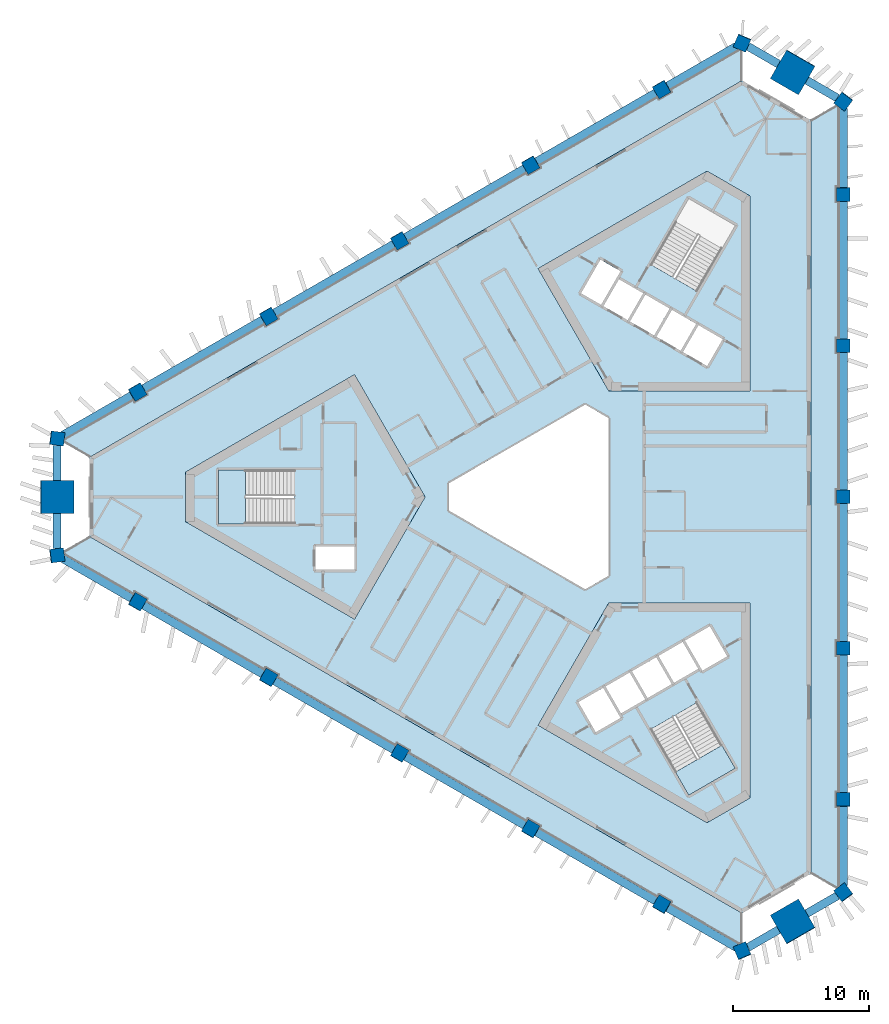
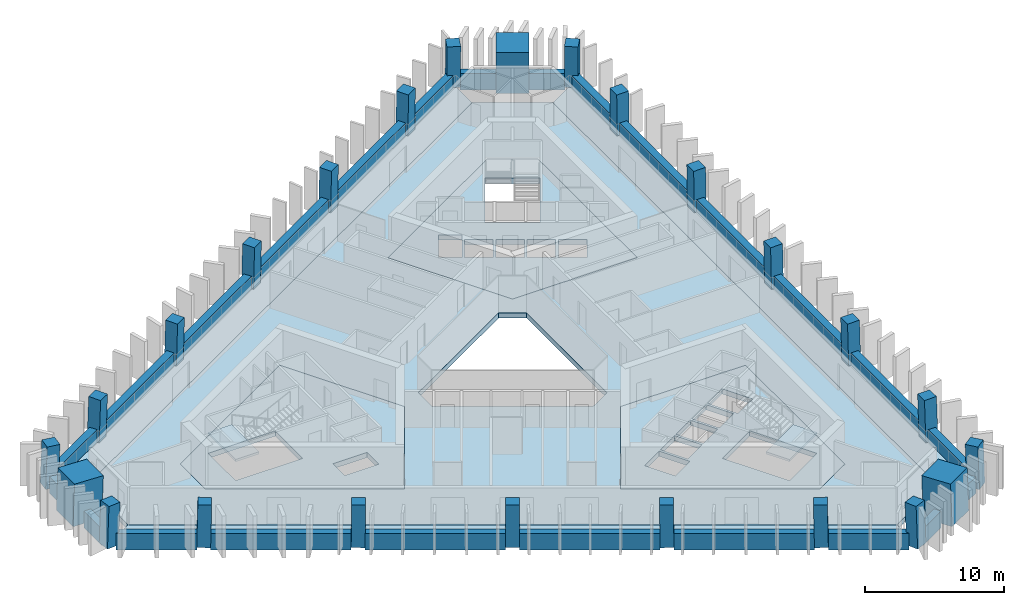
# One storey, part 1 of 11: 24 beams, 24 columns, 9 slabs, 2 elements without a shape of their own.
"""IFC4 building model written with IfcOpenShell, lengths in metres."""

from ifc_helpers import new_model, si_unit, direction, frame, origin, origin_2d, place, context, subcontext, project, spatial, polyline, rectangle, outline, extrude, material, layer, layer_set, material_profile, profile_set, type_object, element, aggregate, save


model = new_model("IFC4")

# Units and contexts
model_context = context("Model", 3, precision=1e-05, world=origin(), true_north=direction((0.0, 1.0)))
body_context = subcontext(model_context, "Body", "Model", "MODEL_VIEW")
ifc_project = project(units=[si_unit("LENGTHUNIT", "METRE"), si_unit("AREAUNIT", "SQUARE_METRE"), si_unit("VOLUMEUNIT", "CUBIC_METRE"), si_unit("PLANEANGLEUNIT", "RADIAN"), si_unit("MASSUNIT", "GRAM", prefix="KILO")], contexts=[model_context])

# Site, building, storey
site_placement = place(None, origin())
site = spatial("IfcSite", under=ifc_project, at=site_placement, CompositionType="ELEMENT")
building_placement = place(site_placement, origin())
building = spatial("IfcBuilding", under=site, at=building_placement, Name="Jabali Bay Hotel Tower and Convention Centre", CompositionType="ELEMENT")
storey_placement = place(building_placement, frame((0.0, 0.0, 143.800048828125)))
storey = spatial("IfcBuildingStorey", under=building, at=storey_placement, Name="L35", CompositionType="ELEMENT", Elevation=143.800048828125)

# Columns
ifc_material_1 = material(Name="Concrete C60", Category="concrete")
ifc_material_profile_1 = material_profile(ifc_material_1, rectangle(XDim=1.0, YDim=1.0, at=origin_2d()), Name="Frame column 1000")
ifc_profile_set_1 = profile_set([ifc_material_profile_1], Name="Concrete C60")
column_type_1 = type_object("IfcColumnType", Name="Frame column 1000", PredefinedType="COLUMN", material=ifc_profile_set_1)
column_1_placement = place(storey_placement, frame((83.395263671875, 109.964599609375, 0.0), z_axis=(-0.00837646992, -0.028097450282, 0.999570091609), x_axis=(0.866167223961, 0.499300431335, 0.02129364706)))
element("IfcColumn", 1, at=column_1_placement, inside=storey, type_object=column_type_1, Name="FC3 F1.1 L35", PredefinedType="COLUMN", context=body_context, shape_type="SweptSolid", body=[
    extrude(rectangle(XDim=1.0, YDim=1.0, at=origin_2d()), origin(), (0.0, 0.0, 1.0), 3.70166015625),
])
column_2_placement = place(storey_placement, frame((73.759521484375, 104.4013671875, 0.0), z_axis=(0.000857578916, -0.022824792675, 0.999739112668), x_axis=(0.866054521909, 0.499835716509, 0.010668719837)))
element("IfcColumn", 2, at=column_2_placement, inside=storey, type_object=column_type_1, Name="FC3 F1.2 L35", PredefinedType="COLUMN", context=body_context, shape_type="SweptSolid", body=[
    extrude(rectangle(XDim=1.0, YDim=1.0, at=origin_2d()), origin(), (0.0, 0.0, 1.0), 3.700927734375),
])
column_3_placement = place(storey_placement, frame((64.123779296875, 98.838134765625, 0.0), z_axis=(0.010093620709, -0.017482414954, 0.999796221231), x_axis=(0.866020200589, 0.50000901209, 8.5616e-08)))
element("IfcColumn", 3, at=column_3_placement, inside=storey, type_object=column_type_1, Name="FC3 F1.3 L35", PredefinedType="COLUMN", context=body_context, shape_type="SweptSolid", body=[
    extrude(rectangle(XDim=1.0, YDim=1.0, at=origin_2d()), origin(), (0.0, 0.0, 1.0), 3.70068359375),
])
column_4_placement = place(storey_placement, frame((54.488037109375, 93.27490234375, 0.0), z_axis=(0.019328516974, -0.012138044789, 0.999739504221), x_axis=(-0.500205614953, 0.865671455024, 0.020181048691)))
element("IfcColumn", 4, at=column_4_placement, inside=storey, type_object=column_type_1, Name="FC3 F1.4 L35", PredefinedType="COLUMN", context=body_context, shape_type="SweptSolid", body=[
    extrude(rectangle(XDim=1.0, YDim=1.0, at=origin_2d()), origin(), (0.0, 0.0, 1.0), 3.700927734375),
])
for number, where, z_axis, x_axis, name in (
    (5, (44.852294921875, 87.7119140625, 0.0), (0.028559101991, -0.006859460986, 0.999568569678), (-0.498515218099, 0.866645785643, 0.020190580742), "FC3 F1.5 L35"),
    (6, (44.852294921875, 72.2880859375, 0.0), (0.028559101991, 0.006859460986, 0.999568569678), (-0.866410384874, 0.498876768373, 0.021331079692), "FC3 F2.1 L35"),
):
    element("IfcColumn", number, at=place(storey_placement, frame(where, z_axis=z_axis, x_axis=x_axis)), inside=storey, type_object=column_type_1, Name=name, PredefinedType="COLUMN", context=body_context, shape_type="SweptSolid", body=[
        extrude(rectangle(XDim=1.0, YDim=1.0, at=origin_2d()), origin(), (0.0, 0.0, 1.0), 3.70166015625),
    ])
column_5_placement = place(storey_placement, frame((54.488037109375, 66.72509765625, 0.0), z_axis=(0.019328516974, 0.012138044789, 0.999739504221), x_axis=(-0.865690909737, 0.500465383244, 0.010660627254)))
element("IfcColumn", 7, at=column_5_placement, inside=storey, type_object=column_type_1, Name="FC3 F2.2 L35", PredefinedType="COLUMN", context=body_context, shape_type="SweptSolid", body=[
    extrude(rectangle(XDim=1.0, YDim=1.0, at=origin_2d()), origin(), (0.0, 0.0, 1.0), 3.700927734375),
])
column_6_placement = place(storey_placement, frame((64.123779296875, 61.161865234375, 0.0), z_axis=(0.010093620709, 0.017482414954, 0.999796221231), x_axis=(-0.499907122366, -0.865843723195, 0.020187025824)))
element("IfcColumn", 8, at=column_6_placement, inside=storey, type_object=column_type_1, Name="FC3 F2.3 L35", PredefinedType="COLUMN", context=body_context, shape_type="SweptSolid", body=[
    extrude(rectangle(XDim=1.0, YDim=1.0, at=origin_2d()), origin(), (0.0, 0.0, 1.0), 3.70068359375),
])
column_7_placement = place(storey_placement, frame((73.759521484375, 55.5986328125, 0.0), z_axis=(0.000857578916, 0.022824792675, 0.999739112668), x_axis=(-0.499948827021, -0.865819429986, 0.020196163479)))
element("IfcColumn", 9, at=column_7_placement, inside=storey, type_object=column_type_1, Name="FC3 F2.4 L35", PredefinedType="COLUMN", context=body_context, shape_type="SweptSolid", body=[
    extrude(rectangle(XDim=1.0, YDim=1.0, at=origin_2d()), origin(), (0.0, 0.0, 1.0), 3.700927734375),
])
for number, where, z_axis, x_axis, name in (
    (10, (83.395263671875, 50.035400390625, 0.0), (-0.00837646992, 0.028097450282, 0.999570091609), (-0.499684075079, -0.865973216997, 0.020154715467), "FC3 F2.5 L35"),
    (11, (96.75244140625, 57.7470703125, 0.0), (-0.020182631348, 0.021369844956, 0.999567902205), (-0.001315292007, -0.999771248084, 0.021347634776), "FC3 F0.1 L35"),
):
    element("IfcColumn", number, at=place(storey_placement, frame(where, z_axis=z_axis, x_axis=x_axis)), inside=storey, type_object=column_type_1, Name=name, PredefinedType="COLUMN", context=body_context, shape_type="SweptSolid", body=[
        extrude(rectangle(XDim=1.0, YDim=1.0, at=origin_2d()), origin(), (0.0, 0.0, 1.0), 3.70166015625),
    ])
column_8_placement = place(storey_placement, frame((96.75244140625, 68.87353515625, 0.0), z_axis=(-0.020186088539, 0.010686752756, 0.999739123544), x_axis=(-0.001023376713, -0.999942568771, 0.010668264128)))
element("IfcColumn", 12, at=column_8_placement, inside=storey, type_object=column_type_1, Name="FC3 F0.2 L35", PredefinedType="COLUMN", context=body_context, shape_type="SweptSolid", body=[
    extrude(rectangle(XDim=1.0, YDim=1.0, at=origin_2d()), origin(), (0.0, 0.0, 1.0), 3.700927734375),
])
column_9_placement = place(storey_placement, frame((96.75244140625, 80.0, 0.0), z_axis=(-0.020187241331, 0.0, 0.99979621688), x_axis=(0.0, -1.0, 0.0)))
element("IfcColumn", 13, at=column_9_placement, inside=storey, type_object=column_type_1, Name="FC3 F0.3 L35", PredefinedType="COLUMN", context=body_context, shape_type="SweptSolid", body=[
    extrude(rectangle(XDim=1.0, YDim=1.0, at=origin_2d()), origin(), (0.0, 0.0, 1.0), 3.70068359375),
])
column_10_placement = place(storey_placement, frame((96.75244140625, 91.12646484375, 0.0), z_axis=(-0.020186088539, -0.010686752756, 0.999739123544), x_axis=(0.999795716399, 0.000807759214, 0.020195865801)))
element("IfcColumn", 14, at=column_10_placement, inside=storey, type_object=column_type_1, Name="FC3 F0.4 L35", PredefinedType="COLUMN", context=body_context, shape_type="SweptSolid", body=[
    extrude(rectangle(XDim=1.0, YDim=1.0, at=origin_2d()), origin(), (0.0, 0.0, 1.0), 3.700927734375),
])
column_11_placement = place(storey_placement, frame((96.75244140625, 102.2529296875, 0.0), z_axis=(-0.020182631348, -0.021369844956, 0.999567902205), x_axis=(0.999795444778, 0.000883872229, 0.020206122118)))
element("IfcColumn", 15, at=column_11_placement, inside=storey, type_object=column_type_1, Name="FC3 F0.5 L35", PredefinedType="COLUMN", context=body_context, shape_type="SweptSolid", body=[
    extrude(rectangle(XDim=1.0, YDim=1.0, at=origin_2d()), origin(), (0.0, 0.0, 1.0), 3.70166015625),
])
for number, where, z_axis, x_axis, name in (
    (16, (96.75244140625, 50.91796875, 0.0), (-0.020178741915, 0.029015184452, 0.999375273581), (-0.800886944779, -0.598814350602, 0.001214576652), "FC3 V0 L35"),
    (17, (96.75244140625, 109.08203125, 0.0), (-0.020178741915, -0.029015184452, 0.999375273581), (0.598475496623, 0.800362100917, 0.035321202664), "FC3 V1 L35"),
    (18, (89.3095703125, 113.379150390625, 0.0), (-0.015035173594, -0.031916772016, 0.999377437818), (0.918753865816, -0.39482890392, 0.001212714742), "FC3 V2 L35"),
    (19, (38.93798828125, 84.297119140625, 0.0), (0.03521388716, -0.002967462401, 0.999375393092), (-0.992371460526, 0.118116619112, 0.035317823014), "FC3 V3 L35"),
    (20, (38.93798828125, 75.702880859375, 0.0), (0.03521388716, 0.002967462401, 0.999375393092), (-0.118147646968, 0.992995296291, 0.0012145203), "FC3 V4 L35"),
    (21, (89.3095703125, 46.620849609375, 0.0), (-0.015035173594, 0.031916772016, 0.999377437818), (0.394544392436, -0.918200117781, 0.035259978785), "FC3 V5 L35"),
):
    element("IfcColumn", number, at=place(storey_placement, frame(where, z_axis=z_axis, x_axis=x_axis)), inside=storey, type_object=column_type_1, Name=name, PredefinedType="COLUMN", context=body_context, shape_type="SweptSolid", body=[
        extrude(rectangle(XDim=1.0, YDim=1.0, at=origin_2d()), origin(), (0.0, 0.0, 1.0), 3.7021484375),
    ])
ifc_material_2 = material(Name="Concrete C70", Category="concrete")
ifc_material_profile_2 = material_profile(ifc_material_2, rectangle(XDim=2.39990234375, YDim=2.39990234375, at=origin_2d()), Name="Mega column 2400")
ifc_profile_set_2 = profile_set([ifc_material_profile_2], Name="Concrete C70")
column_type_2 = type_object("IfcColumnType", Name="Mega column 2400", PredefinedType="COLUMN", material=ifc_profile_set_2)
for number, where, z_axis, x_axis, name in (
    (22, (93.031005859375, 111.230712890625, 0.0), (-0.017607001884, -0.030531992032, 0.999378702468), (0.866279052578, -0.499560409824, 2.461e-09), "MC3 M1 L35"),
    (23, (38.93798828125, 80.0, 0.0), (0.035214042205, 0.0, 0.999379793288), (0.0, 1.0, 0.0), "MC3 M0 L35"),
    (24, (93.031005859375, 48.769287109375, 0.0), (-0.017607001884, 0.030531992032, 0.999378702468), (0.4992500341, -0.865740835585, 0.035244986208), "MC3 M2 L35"),
):
    element("IfcColumn", number, at=place(storey_placement, frame(where, z_axis=z_axis, x_axis=x_axis)), inside=storey, type_object=column_type_2, Name=name, PredefinedType="COLUMN", context=body_context, shape_type="SweptSolid", body=[
        extrude(rectangle(XDim=2.39990234375, YDim=2.39990234375, at=origin_2d()), origin(), (0.0, 0.0, 1.0), 3.7021484375),
    ])

# Beams
ifc_material_profile_3 = material_profile(ifc_material_1, rectangle(XDim=0.60009765625, YDim=1.449951171875, at=origin_2d()), Name="Spandrel 600x1450")
ifc_profile_set_3 = profile_set([ifc_material_profile_3], Name="Concrete C60")
beam_type = type_object("IfcBeamType", Name="Spandrel 600x1450", PredefinedType="SPANDREL", material=ifc_profile_set_3)
beam_1_placement = place(storey_placement, frame((91.985107421875, 111.819091796875, 0.375), z_axis=(-0.866018018137, 0.500012792098, 0.0), x_axis=(-0.500012792098, -0.866018018137, 0.0)))
element("IfcBeam", 25, at=beam_1_placement, inside=storey, type_object=beam_type, Name="Spandrel M1-V2 L35", PredefinedType="SPANDREL", context=body_context, shape_type="SweptSolid", body=[
    extrude(rectangle(XDim=0.60009765625, YDim=1.449951171875, at=origin_2d()), origin(), (0.0, 0.0, 1.0), 2.59619140625),
])
beam_2_placement = place(storey_placement, frame((88.870849609375, 113.1171875, 0.375), z_axis=(-0.866027182222, -0.499996919643, 0.0), x_axis=(0.499996919643, -0.866027182222, 0.0)))
element("IfcBeam", 26, at=beam_2_placement, inside=storey, type_object=beam_type, Name="Spandrel V2-F1.1 L35", PredefinedType="SPANDREL", context=body_context, shape_type="SweptSolid", body=[
    extrude(rectangle(XDim=0.60009765625, YDim=1.449951171875, at=origin_2d()), origin(), (0.0, 0.0, 1.0), 5.826171875),
])
for number, where, z_axis, x_axis, name in (
    (27, (82.959228515625, 109.7041015625, 0.375), (-0.866024527727, -0.500001517373, 0.0), (0.500001517373, -0.866024527727, 0.0), "Spandrel F1.1-F1.2 L35"),
    (28, (73.326904296875, 104.142822265625, 0.375), (-0.866024527727, -0.500001517373, 0.0), (0.500001517373, -0.866024527727, 0.0), "Spandrel F1.2-F1.3 L35"),
):
    element("IfcBeam", number, at=place(storey_placement, frame(where, z_axis=z_axis, x_axis=x_axis)), inside=storey, type_object=beam_type, Name=name, PredefinedType="SPANDREL", context=body_context, shape_type="SweptSolid", body=[
        extrude(rectangle(XDim=0.60009765625, YDim=1.449951171875, at=origin_2d()), origin(), (0.0, 0.0, 1.0), 10.12255859375),
    ])
beam_3_placement = place(storey_placement, frame((63.694580078125, 98.58154296875, 0.375), z_axis=(-0.866034971321, -0.499983428175, 0.0), x_axis=(0.499983428175, -0.866034971321, 0.0)))
element("IfcBeam", 29, at=beam_3_placement, inside=storey, type_object=beam_type, Name="Spandrel F1.3-F1.4 L35", PredefinedType="SPANDREL", context=body_context, shape_type="SweptSolid", body=[
    extrude(rectangle(XDim=0.60009765625, YDim=1.449951171875, at=origin_2d()), origin(), (0.0, 0.0, 1.0), 10.122314453125),
])
beam_4_placement = place(storey_placement, frame((54.062255859375, 93.0205078125, 0.375), z_axis=(-0.866024527727, -0.500001517373, 0.0), x_axis=(0.500001517373, -0.866024527727, 0.0)))
element("IfcBeam", 30, at=beam_4_placement, inside=storey, type_object=beam_type, Name="Spandrel F1.4-F1.5 L35", PredefinedType="SPANDREL", context=body_context, shape_type="SweptSolid", body=[
    extrude(rectangle(XDim=0.60009765625, YDim=1.449951171875, at=origin_2d()), origin(), (0.0, 0.0, 1.0), 10.12255859375),
])
beam_5_placement = place(storey_placement, frame((44.429931640625, 87.459228515625, 0.375), z_axis=(-0.866027182222, -0.499996919643, 0.0), x_axis=(0.499996919643, -0.866027182222, 0.0)))
element("IfcBeam", 31, at=beam_5_placement, inside=storey, type_object=beam_type, Name="Spandrel F1.5-V3 L35", PredefinedType="SPANDREL", context=body_context, shape_type="SweptSolid", body=[
    extrude(rectangle(XDim=0.60009765625, YDim=1.449951171875, at=origin_2d()), origin(), (0.0, 0.0, 1.0), 5.826171875),
])
for number, where, z_axis, x_axis, name in (
    (32, (38.951171875, 83.796142578125, 0.375), (0.0, -1.0, 0.0), (1.0, 0.0, 0.0), "Spandrel V3-M0 L35"),
    (33, (38.951171875, 78.800048828125, 0.375), (0.0, -1.0, 0.0), (1.0, 0.0, 0.0), "Spandrel M0-V4 L35"),
):
    element("IfcBeam", number, at=place(storey_placement, frame(where, z_axis=z_axis, x_axis=x_axis)), inside=storey, type_object=beam_type, Name=name, PredefinedType="SPANDREL", context=body_context, shape_type="SweptSolid", body=[
        extrude(rectangle(XDim=0.60009765625, YDim=1.449951171875, at=origin_2d()), origin(), (0.0, 0.0, 1.0), 2.59619140625),
    ])
beam_6_placement = place(storey_placement, frame((39.38427734375, 75.453857421875, 0.375), z_axis=(0.866027182222, -0.499996919643, 0.0), x_axis=(0.499996919643, 0.866027182222, 0.0)))
element("IfcBeam", 34, at=beam_6_placement, inside=storey, type_object=beam_type, Name="Spandrel V4-F2.1 L35", PredefinedType="SPANDREL", context=body_context, shape_type="SweptSolid", body=[
    extrude(rectangle(XDim=0.60009765625, YDim=1.449951171875, at=origin_2d()), origin(), (0.0, 0.0, 1.0), 5.826171875),
])
beam_7_placement = place(storey_placement, frame((45.2958984375, 72.040771484375, 0.375), z_axis=(0.866024527727, -0.500001517373, 0.0), x_axis=(0.500001517373, 0.866024527727, 0.0)))
element("IfcBeam", 35, at=beam_7_placement, inside=storey, type_object=beam_type, Name="Spandrel F2.1-F2.2 L35", PredefinedType="SPANDREL", context=body_context, shape_type="SweptSolid", body=[
    extrude(rectangle(XDim=0.60009765625, YDim=1.449951171875, at=origin_2d()), origin(), (0.0, 0.0, 1.0), 10.12255859375),
])
beam_8_placement = place(storey_placement, frame((54.92822265625, 66.4794921875, 0.375), z_axis=(0.866034971321, -0.499983428175, 0.0), x_axis=(0.499983428175, 0.866034971321, 0.0)))
element("IfcBeam", 36, at=beam_8_placement, inside=storey, type_object=beam_type, Name="Spandrel F2.2-F2.3 L35", PredefinedType="SPANDREL", context=body_context, shape_type="SweptSolid", body=[
    extrude(rectangle(XDim=0.60009765625, YDim=1.449951171875, at=origin_2d()), origin(), (0.0, 0.0, 1.0), 10.122314453125),
])
for number, where, z_axis, x_axis, name in (
    (37, (64.560546875, 60.91845703125, 0.375), (0.866024527727, -0.500001517373, 0.0), (0.500001517373, 0.866024527727, 0.0), "Spandrel F2.3-F2.4 L35"),
    (38, (74.19287109375, 55.357177734375, 0.375), (0.866024527727, -0.500001517373, 0.0), (0.500001517373, 0.866024527727, 0.0), "Spandrel F2.4-F2.5 L35"),
):
    element("IfcBeam", number, at=place(storey_placement, frame(where, z_axis=z_axis, x_axis=x_axis)), inside=storey, type_object=beam_type, Name=name, PredefinedType="SPANDREL", context=body_context, shape_type="SweptSolid", body=[
        extrude(rectangle(XDim=0.60009765625, YDim=1.449951171875, at=origin_2d()), origin(), (0.0, 0.0, 1.0), 10.12255859375),
    ])
beam_9_placement = place(storey_placement, frame((83.8251953125, 49.7958984375, 0.375), z_axis=(0.866027182222, -0.499996919643, 0.0), x_axis=(0.499996919643, 0.866027182222, 0.0)))
element("IfcBeam", 39, at=beam_9_placement, inside=storey, type_object=beam_type, Name="Spandrel F2.5-V5 L35", PredefinedType="SPANDREL", context=body_context, shape_type="SweptSolid", body=[
    extrude(rectangle(XDim=0.60009765625, YDim=1.449951171875, at=origin_2d()), origin(), (0.0, 0.0, 1.0), 5.826171875),
])
beam_10_placement = place(storey_placement, frame((89.73681640625, 46.8828125, 0.375), z_axis=(0.866018018137, 0.500012792098, 0.0), x_axis=(-0.500012792098, 0.866018018137, 0.0)))
element("IfcBeam", 40, at=beam_10_placement, inside=storey, type_object=beam_type, Name="Spandrel V5-M2 L35", PredefinedType="SPANDREL", context=body_context, shape_type="SweptSolid", body=[
    extrude(rectangle(XDim=0.60009765625, YDim=1.449951171875, at=origin_2d()), origin(), (0.0, 0.0, 1.0), 2.59619140625),
])
beam_11_placement = place(storey_placement, frame((94.063720703125, 49.380859375, 0.375), z_axis=(0.866058738561, 0.499942258029, 0.0), x_axis=(-0.499942258029, 0.866058738561, 0.0)))
element("IfcBeam", 41, at=beam_11_placement, inside=storey, type_object=beam_type, Name="Spandrel M2-V0 L35", PredefinedType="SPANDREL", context=body_context, shape_type="SweptSolid", body=[
    extrude(rectangle(XDim=0.60009765625, YDim=1.449951171875, at=origin_2d()), origin(), (0.0, 0.0, 1.0), 2.595947265625),
])
beam_12_placement = place(storey_placement, frame((96.744873046875, 51.4287109375, 0.375), z_axis=(0.0, 1.0, 0.0), x_axis=(-1.0, 0.0, 0.0)))
element("IfcBeam", 42, at=beam_12_placement, inside=storey, type_object=beam_type, Name="Spandrel V0-F0.1 L35", PredefinedType="SPANDREL", context=body_context, shape_type="SweptSolid", body=[
    extrude(rectangle(XDim=0.60009765625, YDim=1.449951171875, at=origin_2d()), origin(), (0.0, 0.0, 1.0), 5.826416015625),
])
beam_13_placement = place(storey_placement, frame((96.744873046875, 58.255126953125, 0.375), z_axis=(0.0, 1.0, 0.0), x_axis=(-1.0, 0.0, 0.0)))
element("IfcBeam", 43, at=beam_13_placement, inside=storey, type_object=beam_type, Name="Spandrel F0.1-F0.2 L35", PredefinedType="SPANDREL", context=body_context, shape_type="SweptSolid", body=[
    extrude(rectangle(XDim=0.60009765625, YDim=1.449951171875, at=origin_2d()), origin(), (0.0, 0.0, 1.0), 10.12255859375),
])
for number, where, z_axis, x_axis, name in (
    (44, (96.744873046875, 69.377685546875, 0.375), (0.0, 1.0, 0.0), (-1.0, 0.0, 0.0), "Spandrel F0.2-F0.3 L35"),
    (45, (96.744873046875, 80.5, 0.375), (0.0, 1.0, 0.0), (-1.0, 0.0, 0.0), "Spandrel F0.3-F0.4 L35"),
):
    element("IfcBeam", number, at=place(storey_placement, frame(where, z_axis=z_axis, x_axis=x_axis)), inside=storey, type_object=beam_type, Name=name, PredefinedType="SPANDREL", context=body_context, shape_type="SweptSolid", body=[
        extrude(rectangle(XDim=0.60009765625, YDim=1.449951171875, at=origin_2d()), origin(), (0.0, 0.0, 1.0), 10.122314453125),
    ])
beam_14_placement = place(storey_placement, frame((96.744873046875, 91.622314453125, 0.375), z_axis=(0.0, 1.0, 0.0), x_axis=(-1.0, 0.0, 0.0)))
element("IfcBeam", 46, at=beam_14_placement, inside=storey, type_object=beam_type, Name="Spandrel F0.4-F0.5 L35", PredefinedType="SPANDREL", context=body_context, shape_type="SweptSolid", body=[
    extrude(rectangle(XDim=0.60009765625, YDim=1.449951171875, at=origin_2d()), origin(), (0.0, 0.0, 1.0), 10.12255859375),
])
beam_15_placement = place(storey_placement, frame((96.744873046875, 102.744873046875, 0.375), z_axis=(0.0, 1.0, 0.0), x_axis=(-1.0, 0.0, 0.0)))
element("IfcBeam", 47, at=beam_15_placement, inside=storey, type_object=beam_type, Name="Spandrel F0.5-V1 L35", PredefinedType="SPANDREL", context=body_context, shape_type="SweptSolid", body=[
    extrude(rectangle(XDim=0.60009765625, YDim=1.449951171875, at=origin_2d()), origin(), (0.0, 0.0, 1.0), 5.826416015625),
])
beam_16_placement = place(storey_placement, frame((96.31201171875, 109.3212890625, 0.375), z_axis=(-0.866058738561, 0.499942258029, 0.0), x_axis=(-0.499942258029, -0.866058738561, 0.0)))
element("IfcBeam", 48, at=beam_16_placement, inside=storey, type_object=beam_type, Name="Spandrel V1-M1 L35", PredefinedType="SPANDREL", context=body_context, shape_type="SweptSolid", body=[
    extrude(rectangle(XDim=0.60009765625, YDim=1.449951171875, at=origin_2d()), origin(), (0.0, 0.0, 1.0), 2.595947265625),
])

# Slabs
ifc_material_3 = material(Name="Concrete C40", Category="concrete")
ifc_layer_1 = layer(ifc_material_3, 0.449951171875)
ifc_layer_set_1 = layer_set([ifc_layer_1], Name="Concrete C40")
slab_type_1 = type_object("IfcSlabType", Name="Core floor slab 450", PredefinedType="FLOOR", material=ifc_layer_set_1)
slab_1_placement = place(storey_placement, frame((0.0, 0.0, -0.449951171875)))
element("IfcSlab", 49, at=slab_1_placement, inside=storey, type_object=slab_type_1, Name="Core floor slab 1 L35", PredefinedType="FLOOR", context=body_context, shape_type="SweptSolid", body=[
    extrude(outline(polyline([(66.0, 80.0), (60.81005859375, 88.9892578125), (48.39697265625, 81.82275390625), (48.39697265625, 78.17724609375), (60.81005859375, 71.0107421875), (66.0, 80.0)]), holes=[polyline([(60.800048828125, 76.35009765625), (57.949951171875, 76.35009765625), (57.949951171875, 74.64990234375), (60.800048828125, 74.64990234375), (60.800048828125, 76.35009765625)]), polyline([(50.820068359375, 81.97509765625), (50.820068359375, 78.02490234375), (56.409912109375, 78.02490234375), (56.409912109375, 81.97509765625), (50.820068359375, 81.97509765625)])]), origin(), (0.0, 0.0, 1.0), 0.449951171875),
])
slab_2_placement = place(storey_placement, frame((0.0, 0.0, -0.449951171875)))
element("IfcSlab", 50, at=slab_2_placement, inside=storey, type_object=slab_type_1, Name="Core floor slab 2 L35", PredefinedType="FLOOR", context=body_context, shape_type="SweptSolid", body=[
    extrude(outline(polyline([(79.5, 87.794189453125), (89.8798828125, 87.794189453125), (89.8798828125, 102.127685546875), (86.72314453125, 103.9501953125), (74.31005859375, 96.78369140625), (79.5, 87.794189453125)]), holes=[polyline([(84.957763671875, 90.6474609375), (86.733154296875, 89.62255859375), (87.873291015625, 91.59716796875), (86.097900390625, 92.6220703125), (84.957763671875, 90.6474609375)]), polyline([(84.1494140625, 93.7470703125), (83.00927734375, 91.7724609375), (84.78466796875, 90.74755859375), (85.924560546875, 92.72216796875), (84.1494140625, 93.7470703125)]), polyline([(82.20068359375, 94.8720703125), (81.060791015625, 92.8974609375), (82.836181640625, 91.87255859375), (83.97607421875, 93.84716796875), (82.20068359375, 94.8720703125)]), polyline([(79.1123046875, 94.0224609375), (80.887451171875, 92.99755859375), (82.027587890625, 94.97216796875), (80.252197265625, 95.9970703125), (79.1123046875, 94.0224609375)]), polyline([(78.891845703125, 97.440673828125), (77.466796875, 94.97265625), (78.93896484375, 94.12255859375), (80.364013671875, 96.5908203125), (78.891845703125, 97.440673828125)]), polyline([(82.584716796875, 97.0869140625), (86.00537109375, 95.11181640625), (88.80029296875, 99.952880859375), (85.379638671875, 101.927978515625), (82.584716796875, 97.0869140625)])]), origin(), (0.0, 0.0, 1.0), 0.449951171875),
])
slab_3_placement = place(storey_placement, frame((0.0, 0.0, -0.449951171875)))
element("IfcSlab", 51, at=slab_3_placement, inside=storey, type_object=slab_type_1, Name="Core floor slab 3 L35", PredefinedType="FLOOR", context=body_context, shape_type="SweptSolid", body=[
    extrude(outline(polyline([(79.5, 72.205810546875), (74.31005859375, 63.21630859375), (86.72314453125, 56.0498046875), (89.8798828125, 57.872314453125), (89.8798828125, 72.205810546875), (79.5, 72.205810546875)]), holes=[polyline([(82.584716796875, 62.9130859375), (85.379638671875, 58.072021484375), (88.80029296875, 60.047119140625), (86.00537109375, 64.88818359375), (82.584716796875, 62.9130859375)]), polyline([(80.365478515625, 63.756591796875), (79.090576171875, 65.96484375), (77.27197265625, 64.9150390625), (78.546875, 62.70654296875), (80.365478515625, 63.756591796875)]), polyline([(82.17919921875, 65.115478515625), (81.0390625, 67.08984375), (79.263671875, 66.06494140625), (80.40380859375, 64.09033203125), (82.17919921875, 65.115478515625)]), polyline([(82.98779296875, 68.21484375), (81.21240234375, 67.18994140625), (82.352294921875, 65.21533203125), (84.127685546875, 66.240478515625), (82.98779296875, 68.21484375)]), polyline([(86.076171875, 67.365478515625), (84.936279296875, 69.33984375), (83.160888671875, 68.31494140625), (84.30078125, 66.34033203125), (86.076171875, 67.365478515625)]), polyline([(88.203125, 68.281494140625), (86.927978515625, 70.489990234375), (85.109375, 69.43994140625), (86.384521484375, 67.231689453125), (88.203125, 68.281494140625)])]), origin(), (0.0, 0.0, 1.0), 0.449951171875),
])
ifc_layer_2 = layer(ifc_material_3, 0.199951171875)
ifc_layer_set_2 = layer_set([ifc_layer_2], Name="Concrete C40")
slab_type_2 = type_object("IfcSlabType", Name="Loggia slab 200", PredefinedType="FLOOR", material=ifc_layer_set_2)
slab_4_placement = place(storey_placement, frame((0.0, 0.0, -0.199951171875)))
element("IfcSlab", 52, at=slab_4_placement, inside=storey, type_object=slab_type_2, Name="Loggia slab east face L35", PredefinedType="FLOOR", context=body_context, shape_type="SweptSolid", body=[
    extrude(outline(polyline([(94.3525390625, 107.696533203125), (96.281494140625, 108.81005859375), (96.452392578125, 108.68212890625), (96.452392578125, 102.7529296875), (96.25244140625, 102.7529296875), (96.25244140625, 101.7529296875), (96.452392578125, 101.7529296875), (96.452392578125, 91.62646484375), (96.25244140625, 91.62646484375), (96.25244140625, 90.62646484375), (96.452392578125, 90.62646484375), (96.452392578125, 80.5), (96.25244140625, 80.5), (96.25244140625, 79.5), (96.452392578125, 79.5), (96.452392578125, 69.37353515625), (96.25244140625, 69.37353515625), (96.25244140625, 68.37353515625), (96.452392578125, 68.37353515625), (96.452392578125, 58.2470703125), (96.25244140625, 58.2470703125), (96.25244140625, 57.2470703125), (96.452392578125, 57.2470703125), (96.452392578125, 51.31787109375), (96.281494140625, 51.18994140625), (94.3525390625, 52.303466796875), (94.3525390625, 107.696533203125)])), origin(), (0.0, 0.0, 1.0), 0.199951171875),
])
slab_5_placement = place(storey_placement, frame((0.0, 0.0, -0.199951171875)))
element("IfcSlab", 53, at=slab_5_placement, inside=storey, type_object=slab_type_2, Name="Loggia slab north-west face L35", PredefinedType="FLOOR", context=body_context, shape_type="SweptSolid", body=[
    extrude(outline(polyline([(41.337890625, 82.91162109375), (39.4091796875, 84.025146484375), (39.434326171875, 84.2373046875), (44.5693359375, 87.201904296875), (44.669189453125, 87.02880859375), (45.53515625, 87.52880859375), (45.435302734375, 87.701904296875), (54.205078125, 92.76513671875), (54.304931640625, 92.592041015625), (55.1708984375, 93.092041015625), (55.071044921875, 93.26513671875), (63.8408203125, 98.328369140625), (63.940673828125, 98.1552734375), (64.806884765625, 98.6552734375), (64.706787109375, 98.828369140625), (73.4765625, 103.8916015625), (73.576416015625, 103.718505859375), (74.442626953125, 104.218505859375), (74.342529296875, 104.3916015625), (83.1123046875, 109.454833984375), (83.212158203125, 109.28173828125), (84.078369140625, 109.78173828125), (83.978271484375, 109.954833984375), (89.113037109375, 112.91943359375), (89.3095703125, 112.835205078125), (89.3095703125, 110.60791015625), (41.337890625, 82.91162109375)])), origin(), (0.0, 0.0, 1.0), 0.199951171875),
])
slab_6_placement = place(storey_placement, frame((0.0, 0.0, -0.199951171875)))
element("IfcSlab", 54, at=slab_6_placement, inside=storey, type_object=slab_type_2, Name="Loggia slab south-west face L35", PredefinedType="FLOOR", context=body_context, shape_type="SweptSolid", body=[
    extrude(outline(polyline([(89.3095703125, 49.39208984375), (89.3095703125, 47.164794921875), (89.113037109375, 47.08056640625), (83.978271484375, 50.045166015625), (84.078369140625, 50.21826171875), (83.212158203125, 50.71826171875), (83.1123046875, 50.545166015625), (74.342529296875, 55.6083984375), (74.442626953125, 55.781494140625), (73.576416015625, 56.281494140625), (73.4765625, 56.1083984375), (64.706787109375, 61.171630859375), (64.806884765625, 61.3447265625), (63.940673828125, 61.8447265625), (63.8408203125, 61.671630859375), (55.071044921875, 66.73486328125), (55.1708984375, 66.907958984375), (54.304931640625, 67.407958984375), (54.205078125, 67.23486328125), (45.435302734375, 72.298095703125), (45.53515625, 72.47119140625), (44.669189453125, 72.97119140625), (44.5693359375, 72.798095703125), (39.434326171875, 75.7626953125), (39.4091796875, 75.974853515625), (41.337890625, 77.08837890625), (89.3095703125, 49.39208984375)])), origin(), (0.0, 0.0, 1.0), 0.199951171875),
])
ifc_layer_3 = layer(ifc_material_3, 0.449951171875)
ifc_layer_set_3 = layer_set([ifc_layer_3], Name="Concrete C40")
slab_type_3 = type_object("IfcSlabType", Name="Post-tensioned flat slab 450", PredefinedType="FLOOR", material=ifc_layer_set_3)
slab_7_placement = place(storey_placement, frame((0.0, 0.0, -0.449951171875)))
element("IfcSlab", 55, at=slab_7_placement, inside=storey, type_object=slab_type_3, Name="Floor slab L35", PredefinedType="FLOOR", context=body_context, shape_type="SweptSolid", body=[
    extrude(outline(polyline([(89.3095703125, 110.60791015625), (94.3525390625, 107.696533203125), (94.3525390625, 52.303466796875), (89.3095703125, 49.39208984375), (41.337890625, 77.08837890625), (41.337890625, 82.91162109375), (89.3095703125, 110.60791015625)]), holes=[polyline([(67.73193359375, 79.0), (77.76806640625, 73.205810546875), (79.5, 74.205810546875), (79.5, 85.794189453125), (77.76806640625, 86.794189453125), (67.73193359375, 81.0), (67.73193359375, 79.0)]), polyline([(48.39697265625, 78.17724609375), (60.81005859375, 71.0107421875), (66.0, 80.0), (60.81005859375, 88.9892578125), (48.39697265625, 81.82275390625), (48.39697265625, 78.17724609375)]), polyline([(89.8798828125, 102.127685546875), (86.72314453125, 103.9501953125), (74.31005859375, 96.78369140625), (79.5, 87.794189453125), (89.8798828125, 87.794189453125), (89.8798828125, 102.127685546875)]), polyline([(74.31005859375, 63.21630859375), (86.72314453125, 56.0498046875), (89.8798828125, 57.872314453125), (89.8798828125, 72.205810546875), (79.5, 72.205810546875), (74.31005859375, 63.21630859375)])]), origin(), (0.0, 0.0, 1.0), 0.449951171875),
])

# Stair, slab
stair_type = type_object("IfcStairType", Name="Exit stair 1900", PredefinedType="HALF_TURN_STAIR", material=ifc_material_3)
stair_1_placement = place(storey_placement, origin())
stair_1 = element("IfcStair", 56, at=stair_1_placement, inside=storey, type_object=stair_type, Name="L35 Exit Stair 1", PredefinedType="HALF_TURN_STAIR")
ifc_layer_4 = layer(ifc_material_3, 0.199951171875)
ifc_layer_set_4 = layer_set([ifc_layer_4], Name="Concrete C40")
slab_type_4 = type_object("IfcSlabType", Name="Stair landing 200", PredefinedType="LANDING", material=ifc_layer_set_4)
slab_8_placement = place(storey_placement, frame((0.0, 0.0, 1.64990234375)))
slab_8 = element("IfcSlab", 57, at=slab_8_placement, type_object=slab_type_4, Name="ST1 landing 1", PredefinedType="LANDING", context=body_context, shape_type="SweptSolid", body=[
    extrude(outline(polyline([(52.782958984375, 81.97509765625), (50.820068359375, 81.97509765625), (50.820068359375, 78.02490234375), (52.782958984375, 78.02490234375), (52.782958984375, 81.97509765625)])), origin(), (0.0, 0.0, 1.0), 0.199951171875),
])
aggregate(stair_1, [slab_8])

stair_2_placement = place(storey_placement, origin())
stair_2 = element("IfcStair", 58, at=stair_2_placement, inside=storey, type_object=stair_type, Name="L35 Exit Stair 3", PredefinedType="HALF_TURN_STAIR")
slab_9_placement = place(storey_placement, frame((0.0, 0.0, 1.64990234375)))
slab_9 = element("IfcSlab", 59, at=slab_9_placement, type_object=slab_type_4, Name="ST3 landing 1", PredefinedType="LANDING", context=body_context, shape_type="SweptSolid", body=[
    extrude(outline(polyline([(84.398193359375, 59.77197265625), (85.379638671875, 58.072021484375), (88.80029296875, 60.047119140625), (87.81884765625, 61.7470703125), (84.398193359375, 59.77197265625)])), origin(), (0.0, 0.0, 1.0), 0.199951171875),
])
aggregate(stair_2, [slab_9])

save(model, "model.ifc")
